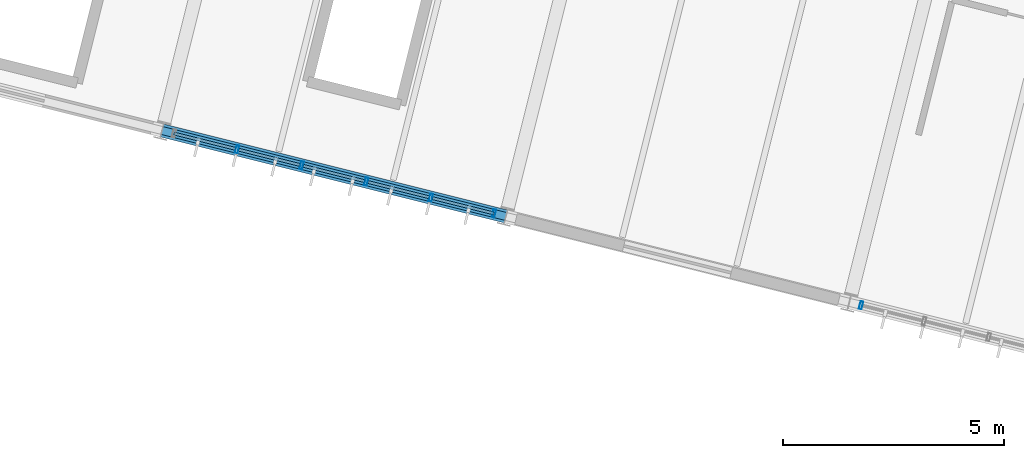
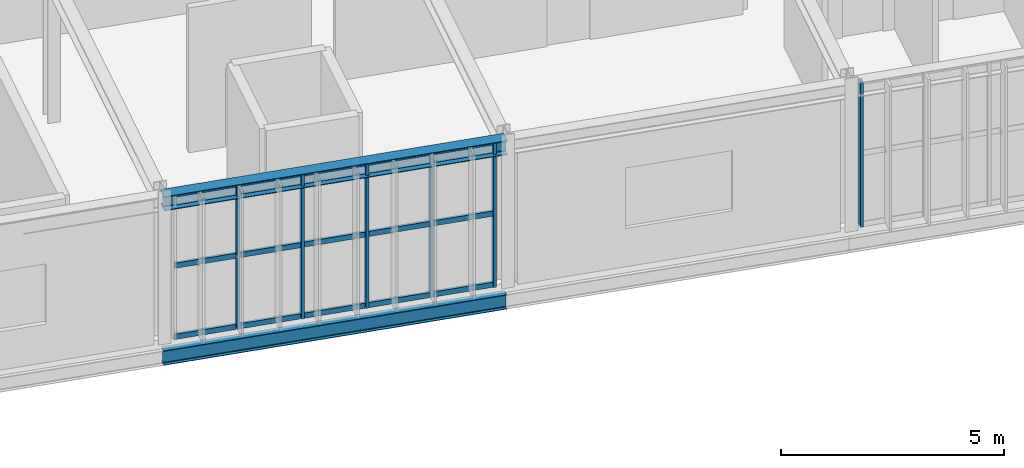
# One storey, part 6 of 30: 21 members, 2 beams, 2 elements without a shape of their own.
"""IFC4 building model written with IfcOpenShell, lengths in metres."""

from ifc_helpers import new_model, si_unit, derived_unit, direction, frame, origin, origin_2d, place, context, subcontext, project, spatial, hollow_rectangle, i_section, extrude, material, material_profile, profile_set, type_object, element, aggregate, save


model = new_model("IFC4")

# Units and contexts
model_context = context("Model", 3, precision=1e-05, world=origin(), true_north=direction((0.0, 1.0)))
body_context = subcontext(model_context, "Body", "Model", "MODEL_VIEW")
ifc_project = project(units=[si_unit("LENGTHUNIT", "METRE"), si_unit("AREAUNIT", "SQUARE_METRE"), si_unit("VOLUMEUNIT", "CUBIC_METRE"), si_unit("PLANEANGLEUNIT", "RADIAN"), si_unit("MASSUNIT", "GRAM", prefix="KILO"), si_unit("THERMODYNAMICTEMPERATUREUNIT", "KELVIN"), si_unit("TIMEUNIT", "SECOND"), derived_unit("THERMALTRANSMITTANCEUNIT", [(si_unit("MASSUNIT", "GRAM", prefix="KILO"), 1), (si_unit("THERMODYNAMICTEMPERATUREUNIT", "KELVIN"), -1), (si_unit("TIMEUNIT", "SECOND"), -3)])], contexts=[model_context])

# Site, building, storey
site_placement = place(None, origin())
site = spatial("IfcSite", under=ifc_project, at=site_placement, CompositionType="ELEMENT")
building_placement = place(site_placement, origin())
building = spatial("IfcBuilding", under=site, at=building_placement, Name="Cambertide Market Hall", CompositionType="ELEMENT")
storey_placement = place(building_placement, frame((0.0, 0.0, 14.10009765625)))
storey = spatial("IfcBuildingStorey", under=building, at=storey_placement, Name="L04", CompositionType="ELEMENT", Elevation=14.10009765625)

# Curtain wall, members
ifc_material_1 = material(Name="Marine Anodized Aluminium 6063-T6 AA25", Category="aluminium")
curtain_wall_type = type_object("IfcCurtainWallType", Name="Herb Conservatory Crown Curtain Wall", PredefinedType="USERDEFINED", material=ifc_material_1)
curtain_wall_1_placement = place(storey_placement, origin())
curtain_wall_1 = element("IfcCurtainWall", 1, at=curtain_wall_1_placement, inside=storey, type_object=curtain_wall_type, Name="Level 4 Curtain Wall CW-V4S-L04-3", ObjectType="UNITIZED CURTAIN WALL", PredefinedType="USERDEFINED")
ifc_material_2 = material(Name="Champagne Marine Anodized Aluminium 6063-T6 AA25", Category="aluminium")
ifc_material_profile_1 = material_profile(ifc_material_2, hollow_rectangle(XDim=0.06494140625, YDim=0.179931640625, WallThickness=0.00390625, at=origin_2d()), Name="ALU MULLION 65x180")
ifc_profile_set_1 = profile_set([ifc_material_profile_1], Name="Champagne Marine Anodized Aluminium 6063-T6 AA25")
member_type_1 = type_object("IfcMemberType", Name="Curtain Wall Mullion ALU MULLION 65x180", PredefinedType="MULLION", material=ifc_profile_set_1)
member_1_placement = place(storey_placement, frame((131.0166015625, 94.245849609375, 0.0), z_axis=(0.0, 0.0, 1.0), x_axis=(-0.970142531436, 0.242535499875, 0.0)))
member_1 = element("IfcMember", 2, at=member_1_placement, type_object=member_type_1, Name="CW-V4S-L04-3 Mullion 1", PredefinedType="MULLION", context=body_context, shape_type="SweptSolid", body=[
    extrude(hollow_rectangle(XDim=0.06494140625, YDim=0.179931640625, WallThickness=0.00390625, at=origin_2d()), origin(), (0.0, 0.0, 1.0), 3.9599609375),
])
member_2_placement = place(storey_placement, frame((129.591552734375, 94.60205078125, 0.0), z_axis=(0.0, 0.0, 1.0), x_axis=(-0.970142531436, 0.242535499875, 0.0)))
member_2 = element("IfcMember", 3, at=member_2_placement, type_object=member_type_1, Name="CW-V4S-L04-3 Mullion 2", PredefinedType="MULLION", context=body_context, shape_type="SweptSolid", body=[
    extrude(hollow_rectangle(XDim=0.06494140625, YDim=0.179931640625, WallThickness=0.00390625, at=origin_2d()), origin(), (0.0, 0.0, 1.0), 3.9599609375),
])
member_3_placement = place(storey_placement, frame((128.13232421875, 94.966796875, 0.0), z_axis=(0.0, 0.0, 1.0), x_axis=(-0.970142531436, 0.242535499875, 0.0)))
member_3 = element("IfcMember", 4, at=member_3_placement, type_object=member_type_1, Name="CW-V4S-L04-3 Mullion 3", PredefinedType="MULLION", context=body_context, shape_type="SweptSolid", body=[
    extrude(hollow_rectangle(XDim=0.06494140625, YDim=0.179931640625, WallThickness=0.00390625, at=origin_2d()), origin(), (0.0, 0.0, 1.0), 3.9599609375),
])
member_4_placement = place(storey_placement, frame((126.67333984375, 95.331787109375, 0.0), z_axis=(0.0, 0.0, 1.0), x_axis=(-0.970142531436, 0.242535499875, 0.0)))
member_4 = element("IfcMember", 5, at=member_4_placement, type_object=member_type_1, Name="CW-V4S-L04-3 Mullion 4", PredefinedType="MULLION", context=body_context, shape_type="SweptSolid", body=[
    extrude(hollow_rectangle(XDim=0.06494140625, YDim=0.179931640625, WallThickness=0.00390625, at=origin_2d()), origin(), (0.0, 0.0, 1.0), 3.9599609375),
])
member_5_placement = place(storey_placement, frame((125.214111328125, 95.696533203125, 0.0), z_axis=(0.0, 0.0, 1.0), x_axis=(-0.970142531436, 0.242535499875, 0.0)))
member_5 = element("IfcMember", 6, at=member_5_placement, type_object=member_type_1, Name="CW-V4S-L04-3 Mullion 5", PredefinedType="MULLION", context=body_context, shape_type="SweptSolid", body=[
    extrude(hollow_rectangle(XDim=0.06494140625, YDim=0.179931640625, WallThickness=0.00390625, at=origin_2d()), origin(), (0.0, 0.0, 1.0), 3.9599609375),
])

# Curtain wall, member
curtain_wall_2_placement = place(storey_placement, origin())
curtain_wall_2 = element("IfcCurtainWall", 7, at=curtain_wall_2_placement, inside=storey, type_object=curtain_wall_type, Name="Level 4 Curtain Wall CW-V4S-L04-5", ObjectType="UNITIZED CURTAIN WALL", PredefinedType="USERDEFINED")
member_6_placement = place(storey_placement, frame((139.311279296875, 92.172119140625, 0.0), z_axis=(0.0, 0.0, 1.0), x_axis=(-0.970142531436, 0.242535499875, 0.0)))
member_6 = element("IfcMember", 8, at=member_6_placement, type_object=member_type_1, Name="CW-V4S-L04-5 Mullion 6", PredefinedType="MULLION", context=body_context, shape_type="SweptSolid", body=[
    extrude(hollow_rectangle(XDim=0.06494140625, YDim=0.179931640625, WallThickness=0.00390625, at=origin_2d()), origin(), (0.0, 0.0, 1.0), 3.9599609375),
])
aggregate(curtain_wall_2, [member_6])

# Member
ifc_material_3 = material(Name="Champagne Marine Anodized Aluminium 6063-T6 AA25", Category="aluminium")
ifc_material_profile_2 = material_profile(ifc_material_3, hollow_rectangle(XDim=0.06494140625, YDim=0.139892578125, WallThickness=0.00341796875, at=origin_2d()), Name="ALU TRANSOM 65x140")
ifc_profile_set_2 = profile_set([ifc_material_profile_2], Name="Champagne Marine Anodized Aluminium 6063-T6 AA25")
member_type_2 = type_object("IfcMemberType", Name="Curtain Wall Transom ALU TRANSOM 65x140", PredefinedType="USERDEFINED", material=ifc_profile_set_2)
member_7_placement = place(storey_placement, frame((131.01171875, 94.2470703125, 0.034912109375), z_axis=(-0.970122324991, 0.242616311393, 0.0), x_axis=(-0.242616311393, -0.970122324991, 0.0)))
member_7 = element("IfcMember", 9, at=member_7_placement, type_object=member_type_2, Name="CW-V4S-L04-3 Transom 1-1", ObjectType="TRANSOM", PredefinedType="USERDEFINED", context=body_context, shape_type="SweptSolid", body=[
    extrude(hollow_rectangle(XDim=0.06494140625, YDim=0.139892578125, WallThickness=0.00341796875, at=origin_2d()), origin(), (0.0, 0.0, 1.0), 1.423828125),
])

member_8_placement = place(storey_placement, frame((129.552734375, 94.61181640625, 0.034912109375), z_axis=(-0.970132415085, 0.242575961715, 0.0), x_axis=(-0.242575961715, -0.970132415085, 0.0)))
member_8 = element("IfcMember", 10, at=member_8_placement, type_object=member_type_2, Name="CW-V4S-L04-3 Transom 1-2", ObjectType="TRANSOM", PredefinedType="USERDEFINED", context=body_context, shape_type="SweptSolid", body=[
    extrude(hollow_rectangle(XDim=0.06494140625, YDim=0.139892578125, WallThickness=0.00341796875, at=origin_2d()), origin(), (0.0, 0.0, 1.0), 1.424072265625),
])

member_9_placement = place(storey_placement, frame((128.093505859375, 94.9765625, 0.034912109375), z_axis=(-0.970122324991, 0.242616311393, 0.0), x_axis=(-0.242616311393, -0.970122324991, 0.0)))
member_9 = element("IfcMember", 11, at=member_9_placement, type_object=member_type_2, Name="CW-V4S-L04-3 Transom 1-3", ObjectType="TRANSOM", PredefinedType="USERDEFINED", context=body_context, shape_type="SweptSolid", body=[
    extrude(hollow_rectangle(XDim=0.06494140625, YDim=0.139892578125, WallThickness=0.00341796875, at=origin_2d()), origin(), (0.0, 0.0, 1.0), 1.423828125),
])

member_10_placement = place(storey_placement, frame((126.634521484375, 95.34130859375, 0.034912109375), z_axis=(-0.970132415085, 0.242575961715, 0.0), x_axis=(-0.242575961715, -0.970132415085, 0.0)))
member_10 = element("IfcMember", 12, at=member_10_placement, type_object=member_type_2, Name="CW-V4S-L04-3 Transom 1-4", ObjectType="TRANSOM", PredefinedType="USERDEFINED", context=body_context, shape_type="SweptSolid", body=[
    extrude(hollow_rectangle(XDim=0.06494140625, YDim=0.139892578125, WallThickness=0.00341796875, at=origin_2d()), origin(), (0.0, 0.0, 1.0), 1.424072265625),
])

member_11_placement = place(storey_placement, frame((125.17529296875, 95.7060546875, 0.034912109375), z_axis=(-0.970122324991, 0.242616311393, 0.0), x_axis=(-0.242616311393, -0.970122324991, 0.0)))
member_11 = element("IfcMember", 13, at=member_11_placement, type_object=member_type_2, Name="CW-V4S-L04-3 Transom 1-5", ObjectType="TRANSOM", PredefinedType="USERDEFINED", context=body_context, shape_type="SweptSolid", body=[
    extrude(hollow_rectangle(XDim=0.06494140625, YDim=0.139892578125, WallThickness=0.00341796875, at=origin_2d()), origin(), (0.0, 0.0, 1.0), 1.423828125),
])

member_12_placement = place(storey_placement, frame((131.01171875, 94.2470703125, 1.97998046875), z_axis=(-0.970122324991, 0.242616311393, 0.0), x_axis=(-0.242616311393, -0.970122324991, 0.0)))
member_12 = element("IfcMember", 14, at=member_12_placement, type_object=member_type_2, Name="CW-V4S-L04-3 Transom 2-1", ObjectType="TRANSOM", PredefinedType="USERDEFINED", context=body_context, shape_type="SweptSolid", body=[
    extrude(hollow_rectangle(XDim=0.06494140625, YDim=0.139892578125, WallThickness=0.00341796875, at=origin_2d()), origin(), (0.0, 0.0, 1.0), 1.423828125),
])

member_13_placement = place(storey_placement, frame((129.552734375, 94.61181640625, 1.97998046875), z_axis=(-0.970132415085, 0.242575961715, 0.0), x_axis=(-0.242575961715, -0.970132415085, 0.0)))
member_13 = element("IfcMember", 15, at=member_13_placement, type_object=member_type_2, Name="CW-V4S-L04-3 Transom 2-2", ObjectType="TRANSOM", PredefinedType="USERDEFINED", context=body_context, shape_type="SweptSolid", body=[
    extrude(hollow_rectangle(XDim=0.06494140625, YDim=0.139892578125, WallThickness=0.00341796875, at=origin_2d()), origin(), (0.0, 0.0, 1.0), 1.424072265625),
])

member_14_placement = place(storey_placement, frame((128.093505859375, 94.9765625, 1.97998046875), z_axis=(-0.970122324991, 0.242616311393, 0.0), x_axis=(-0.242616311393, -0.970122324991, 0.0)))
member_14 = element("IfcMember", 16, at=member_14_placement, type_object=member_type_2, Name="CW-V4S-L04-3 Transom 2-3", ObjectType="TRANSOM", PredefinedType="USERDEFINED", context=body_context, shape_type="SweptSolid", body=[
    extrude(hollow_rectangle(XDim=0.06494140625, YDim=0.139892578125, WallThickness=0.00341796875, at=origin_2d()), origin(), (0.0, 0.0, 1.0), 1.423828125),
])

member_15_placement = place(storey_placement, frame((126.634521484375, 95.34130859375, 1.97998046875), z_axis=(-0.970132415085, 0.242575961715, 0.0), x_axis=(-0.242575961715, -0.970132415085, 0.0)))
member_15 = element("IfcMember", 17, at=member_15_placement, type_object=member_type_2, Name="CW-V4S-L04-3 Transom 2-4", ObjectType="TRANSOM", PredefinedType="USERDEFINED", context=body_context, shape_type="SweptSolid", body=[
    extrude(hollow_rectangle(XDim=0.06494140625, YDim=0.139892578125, WallThickness=0.00341796875, at=origin_2d()), origin(), (0.0, 0.0, 1.0), 1.424072265625),
])

member_16_placement = place(storey_placement, frame((125.17529296875, 95.7060546875, 1.97998046875), z_axis=(-0.970122324991, 0.242616311393, 0.0), x_axis=(-0.242616311393, -0.970122324991, 0.0)))
member_16 = element("IfcMember", 18, at=member_16_placement, type_object=member_type_2, Name="CW-V4S-L04-3 Transom 2-5", ObjectType="TRANSOM", PredefinedType="USERDEFINED", context=body_context, shape_type="SweptSolid", body=[
    extrude(hollow_rectangle(XDim=0.06494140625, YDim=0.139892578125, WallThickness=0.00341796875, at=origin_2d()), origin(), (0.0, 0.0, 1.0), 1.423828125),
])

member_17_placement = place(storey_placement, frame((131.01171875, 94.2470703125, 3.9248046875), z_axis=(-0.970122324991, 0.242616311393, 0.0), x_axis=(-0.242616311393, -0.970122324991, 0.0)))
member_17 = element("IfcMember", 19, at=member_17_placement, type_object=member_type_2, Name="CW-V4S-L04-3 Transom 3-1", ObjectType="TRANSOM", PredefinedType="USERDEFINED", context=body_context, shape_type="SweptSolid", body=[
    extrude(hollow_rectangle(XDim=0.06494140625, YDim=0.139892578125, WallThickness=0.00341796875, at=origin_2d()), origin(), (0.0, 0.0, 1.0), 1.423828125),
])

member_18_placement = place(storey_placement, frame((129.552734375, 94.61181640625, 3.9248046875), z_axis=(-0.970132415085, 0.242575961715, 0.0), x_axis=(-0.242575961715, -0.970132415085, 0.0)))
member_18 = element("IfcMember", 20, at=member_18_placement, type_object=member_type_2, Name="CW-V4S-L04-3 Transom 3-2", ObjectType="TRANSOM", PredefinedType="USERDEFINED", context=body_context, shape_type="SweptSolid", body=[
    extrude(hollow_rectangle(XDim=0.06494140625, YDim=0.139892578125, WallThickness=0.00341796875, at=origin_2d()), origin(), (0.0, 0.0, 1.0), 1.424072265625),
])

member_19_placement = place(storey_placement, frame((128.093505859375, 94.9765625, 3.9248046875), z_axis=(-0.970122324991, 0.242616311393, 0.0), x_axis=(-0.242616311393, -0.970122324991, 0.0)))
member_19 = element("IfcMember", 21, at=member_19_placement, type_object=member_type_2, Name="CW-V4S-L04-3 Transom 3-3", ObjectType="TRANSOM", PredefinedType="USERDEFINED", context=body_context, shape_type="SweptSolid", body=[
    extrude(hollow_rectangle(XDim=0.06494140625, YDim=0.139892578125, WallThickness=0.00341796875, at=origin_2d()), origin(), (0.0, 0.0, 1.0), 1.423828125),
])

member_20_placement = place(storey_placement, frame((126.634521484375, 95.34130859375, 3.9248046875), z_axis=(-0.970132415085, 0.242575961715, 0.0), x_axis=(-0.242575961715, -0.970132415085, 0.0)))
member_20 = element("IfcMember", 22, at=member_20_placement, type_object=member_type_2, Name="CW-V4S-L04-3 Transom 3-4", ObjectType="TRANSOM", PredefinedType="USERDEFINED", context=body_context, shape_type="SweptSolid", body=[
    extrude(hollow_rectangle(XDim=0.06494140625, YDim=0.139892578125, WallThickness=0.00341796875, at=origin_2d()), origin(), (0.0, 0.0, 1.0), 1.424072265625),
])

member_21_placement = place(storey_placement, frame((125.17529296875, 95.7060546875, 3.9248046875), z_axis=(-0.970122324991, 0.242616311393, 0.0), x_axis=(-0.242616311393, -0.970122324991, 0.0)))
member_21 = element("IfcMember", 23, at=member_21_placement, type_object=member_type_2, Name="CW-V4S-L04-3 Transom 3-5", ObjectType="TRANSOM", PredefinedType="USERDEFINED", context=body_context, shape_type="SweptSolid", body=[
    extrude(hollow_rectangle(XDim=0.06494140625, YDim=0.139892578125, WallThickness=0.00341796875, at=origin_2d()), origin(), (0.0, 0.0, 1.0), 1.423828125),
])

aggregate(curtain_wall_1, [member_1, member_2, member_3, member_4, member_5, member_7, member_8, member_9, member_10, member_11, member_12, member_13, member_14, member_15, member_16, member_17, member_18, member_19, member_20, member_21])

# Beams
ifc_material_4 = material(Name="Steel S355", Category="steel")
ifc_material_profile_3 = material_profile(ifc_material_4, i_section(OverallWidth=0.300048828125, OverallDepth=0.389892578125, WebThickness=0.010986328125, FlangeThickness=0.01904296875, FilletRadius=0.027099609375, at=origin_2d()), Name="HEA 400")
ifc_profile_set_3 = profile_set([ifc_material_profile_3], Name="Steel S355")
beam_type_1 = type_object("IfcBeamType", Name="Exterior Steel Girder HEA 400", PredefinedType="BEAM", material=ifc_profile_set_3)
beam_1_placement = place(storey_placement, frame((123.522216796875, 96.119384765625, 3.804931640625), z_axis=(0.970146090314, -0.242521263911, 0.0), x_axis=(0.242521263911, 0.970146090314, 0.0)))
element("IfcBeam", 24, at=beam_1_placement, inside=storey, type_object=beam_type_1, Name="Level 4 Beam BM-V4U-RF-3-1", PredefinedType="BEAM", context=body_context, shape_type="SweptSolid", body=[
    extrude(i_section(OverallWidth=0.300048828125, OverallDepth=0.389892578125, WebThickness=0.010986328125, FlangeThickness=0.01904296875, FilletRadius=0.027099609375, at=origin_2d()), origin(), (0.0, 0.0, 1.0), 8.0),
])
ifc_material_5 = material(Name="Steel S355", Category="steel")
ifc_material_profile_4 = material_profile(ifc_material_5, i_section(OverallWidth=0.179931640625, OverallDepth=0.39990234375, WebThickness=0.008544921875, FlangeThickness=0.013427734375, FilletRadius=0.02099609375, at=origin_2d()), Name="IPE 400")
ifc_profile_set_4 = profile_set([ifc_material_profile_4], Name="Steel S355")
beam_type_2 = type_object("IfcBeamType", Name="Perimeter Spandrel Beam IPE 400", PredefinedType="SPANDREL", material=ifc_profile_set_4)
beam_2_placement = place(storey_placement, frame((123.522216796875, 96.119384765625, -0.455078125), z_axis=(0.970146090314, -0.242521263911, 0.0), x_axis=(0.242521263911, 0.970146090314, 0.0)))
element("IfcBeam", 25, at=beam_2_placement, inside=storey, type_object=beam_type_2, Name="Level 4 Spandrel BM-V4U-L04-3-1", PredefinedType="SPANDREL", context=body_context, shape_type="SweptSolid", body=[
    extrude(i_section(OverallWidth=0.179931640625, OverallDepth=0.39990234375, WebThickness=0.008544921875, FlangeThickness=0.013427734375, FilletRadius=0.02099609375, at=origin_2d()), origin(), (0.0, 0.0, 1.0), 8.0),
])

save(model, "model.ifc")
